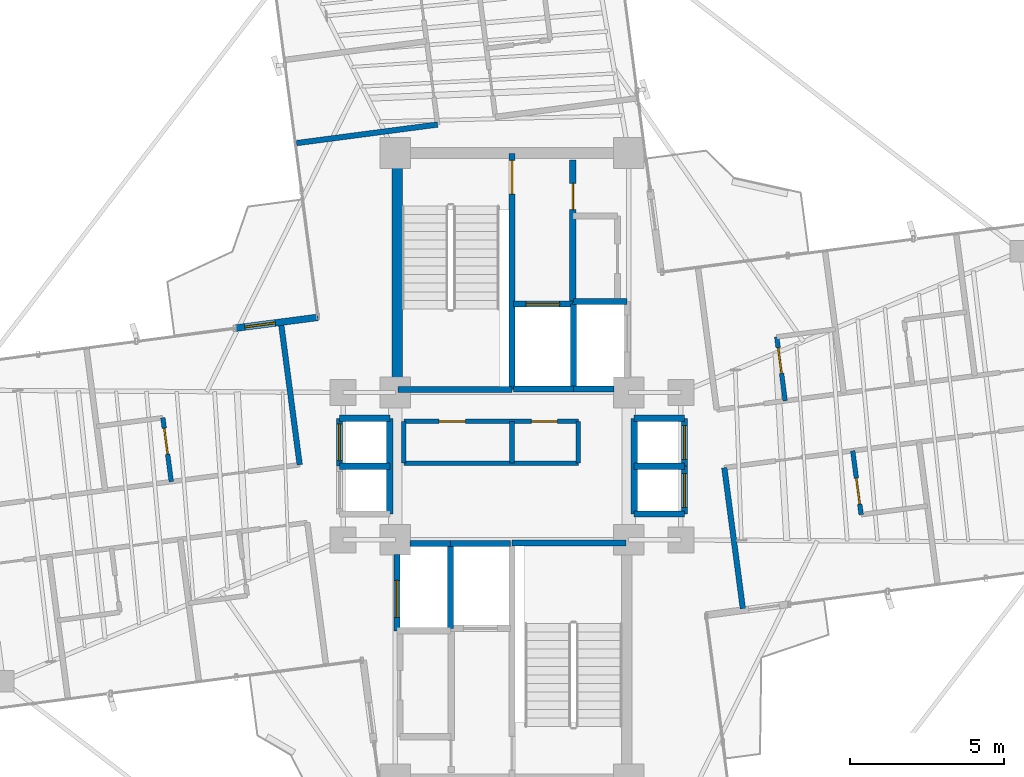
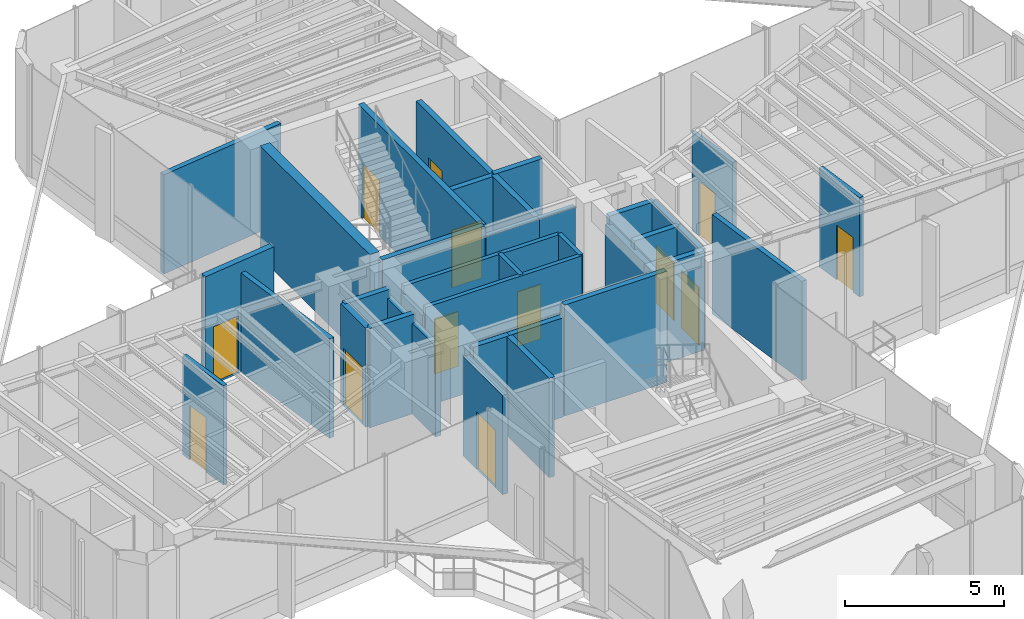
# One storey, part 17 of 20: 36 walls, 13 doors, 13 openings.
"""IFC4 building model written with IfcOpenShell, lengths in metres."""

from ifc_helpers import new_model, si_unit, direction, frame, frame_2d, origin, origin_2d, place, context, subcontext, project, spatial, rectangle, extrude, source, transform, mapped, material, layer, layer_set, type_object, element, fill, save


model = new_model("IFC4")

# Units and contexts
model_context = context("Model", 3, precision=1e-05, world=origin(), true_north=direction((0.0, 1.0)))
body_context = subcontext(model_context, "Body", "Model", "MODEL_VIEW")
ifc_project = project(units=[si_unit("LENGTHUNIT", "METRE"), si_unit("AREAUNIT", "SQUARE_METRE"), si_unit("VOLUMEUNIT", "CUBIC_METRE"), si_unit("PLANEANGLEUNIT", "RADIAN"), si_unit("MASSUNIT", "GRAM", prefix="KILO")], contexts=[model_context])

# Site, building, storey
site_placement = place(None, origin())
site = spatial("IfcSite", under=ifc_project, at=site_placement, CompositionType="ELEMENT")
building_placement = place(site_placement, origin())
building = spatial("IfcBuilding", under=site, at=building_placement, Name="Sahyath Konkavel Grand Hotel", CompositionType="ELEMENT")
storey_placement = place(building_placement, frame((0.0, 0.0, 229.949951171875)))
storey = spatial("IfcBuildingStorey", under=building, at=storey_placement, Name="L64", CompositionType="ELEMENT", Elevation=229.949951171875)

# Wall
ifc_material_1 = material(Name="Concrete C40/50", Category="concrete")
ifc_layer_1 = layer(ifc_material_1, 0.35009765625)
ifc_layer_set_1 = layer_set([ifc_layer_1], Name="Concrete C40/50")
wall_type_1 = type_object("IfcWallType", Name="CWALL-350", PredefinedType="SHEAR", material=ifc_layer_set_1)
wall_1_placement = place(storey_placement, frame((-3.739990234375, 2.85009765625, 0.0), z_axis=(0.0, 0.0, 1.0), x_axis=(0.0, 1.0, 0.0)))
element("IfcWall", 1, at=wall_1_placement, inside=storey, type_object=wall_type_1, Name="L64 North Core Shear Wall W", PredefinedType="SHEAR", context=body_context, shape_type="SweptSolid", body=[
    extrude(rectangle(XDim=6.89990234375, YDim=0.35009765625, at=frame_2d((3.449951171875, 0.0))), origin(), (0.0, 0.0, 1.0), 4.260009765625),
])

# Wall, opening, door
ifc_material_2 = material(Name="Warm Buff Sandstone Insulated Concrete C40/50", Category="masonry")
ifc_layer_2 = layer(ifc_material_2, 0.219970703125)
ifc_layer_set_2 = layer_set([ifc_layer_2], Name="Warm Buff Sandstone Insulated Concrete C40/50")
wall_type_2 = type_object("IfcWallType", Name="WLL-BALC-THRESH", PredefinedType="STANDARD", material=ifc_layer_set_2)
wall_2_placement = place(storey_placement, frame((-6.320068359375, 4.849609375, 0.0), z_axis=(0.0, 0.0, 1.0), x_axis=(-0.991451525486, -0.130475563272, 0.0)))
wall_2 = element("IfcWall", 2, at=wall_2_placement, inside=storey, type_object=wall_type_2, Name="L64 Winter-Garden Threshold Wall 16", PredefinedType="STANDARD", context=body_context, shape_type="SweptSolid", body=[
    extrude(rectangle(XDim=2.7001953125, YDim=0.219970703125, at=frame_2d((1.35009765625, 0.0))), origin(), (0.0, 0.0, 1.0), 4.260009765625),
])
opening_1_placement = place(wall_2_placement, frame((1.39990234375, 0.0, 0.0)))
opening_1 = element("IfcOpeningElement", 3, at=opening_1_placement, cuts=wall_2, Name="Opening D-TR1", PredefinedType="OPENING", context=body_context, shape_type="SweptSolid", body=[
    extrude(rectangle(XDim=1.0, YDim=2.199951171875, at=frame_2d((0.5, 1.10009765625))), frame((0.0, 0.1201171875, 0.0), z_axis=(0.0, -1.0, 0.0), x_axis=(1.0, 0.0, 0.0)), (0.0, 0.0, 1.0), 0.239990234375),
])
ifc_material_3 = material(Name="Anodised Bronze Aluminium & Low-E Glazing", Category="aluminium")
door_type_1 = type_object("IfcDoorType", Name="DR-TERRACE-1000", OperationType="NOTDEFINED", PredefinedType="DOOR", material=ifc_material_3)
shared_shape_1 = source(origin(), body_context, "Body", "SweptSolid", [
    extrude(rectangle(XDim=1.0, YDim=0.050048828125, at=origin_2d()), origin(), (0.0, 0.0, 1.0), 2.199951171875),
])
door_1_placement = place(opening_1_placement, frame((0.5, 0.0, 0.0)))
door_1 = element("IfcDoor", 4, at=door_1_placement, inside=storey, type_object=door_type_1, Name="L64 Winter-Garden Terrace Door 16", OperationType="SINGLE_SWING_LEFT", OverallHeight=2.199951171875, OverallWidth=1.0, PredefinedType="DOOR", context=body_context, shape_type="MappedRepresentation", body=[
    mapped(shared_shape_1, transform((0.0, 0.0, 0.0), scale=1.0)),
])
fill(opening_1, door_1)

ifc_layer_3 = layer(ifc_material_1, 0.199951171875)
ifc_layer_set_3 = layer_set([ifc_layer_3], Name="Concrete C40/50")
wall_type_3 = type_object("IfcWallType", Name="WLL-CORE-200", PredefinedType="SOLIDWALL", material=ifc_layer_set_3)
wall_3_placement = place(storey_placement, frame((0.0, 2.5, 0.0), z_axis=(0.0, 0.0, 1.0), x_axis=(0.0, 1.0, 0.0)))
wall_3 = element("IfcWall", 5, at=wall_3_placement, inside=storey, type_object=wall_type_3, Name="L64 Stair ST-1 Shaft Wall E", PredefinedType="SOLIDWALL", context=body_context, shape_type="SweptSolid", body=[
    extrude(rectangle(XDim=7.679931640625, YDim=0.199951171875, at=frame_2d((3.83984375, 0.0))), origin(), (0.0, 0.0, 1.0), 4.260009765625),
])
opening_2_placement = place(wall_3_placement, frame((6.360107421875, 0.0, 0.0)))
opening_2 = element("IfcOpeningElement", 6, at=opening_2_placement, cuts=wall_3, Name="Opening D-F12B", PredefinedType="OPENING", context=body_context, shape_type="SweptSolid", body=[
    extrude(rectangle(XDim=1.10009765625, YDim=2.14990234375, at=frame_2d((0.550048828125, 1.074951171875))), frame((0.0, 0.10986328125, 0.0), z_axis=(0.0, -1.0, 0.0), x_axis=(1.0, 0.0, 0.0)), (0.0, 0.0, 1.0), 0.219970703125),
])
ifc_material_4 = material(Name="Steel E350 Smokeproof Fire Door", Category="steel")
door_type_2 = type_object("IfcDoorType", Name="DR-FD120-1100", OperationType="NOTDEFINED", PredefinedType="DOOR", material=ifc_material_4)
shared_shape_2 = source(origin(), body_context, "Body", "SweptSolid", [
    extrude(rectangle(XDim=1.10009765625, YDim=0.050048828125, at=origin_2d()), origin(), (0.0, 0.0, 1.0), 2.14990234375),
])
door_2_placement = place(opening_2_placement, frame((0.550048828125, 0.0, 0.0)))
door_2 = element("IfcDoor", 7, at=door_2_placement, inside=storey, type_object=door_type_2, Name="L64 Stair ST-1 Fire Door", OperationType="SINGLE_SWING_RIGHT", OverallHeight=2.14990234375, OverallWidth=1.10009765625, PredefinedType="DOOR", context=body_context, shape_type="MappedRepresentation", body=[
    mapped(shared_shape_2, transform((0.0, 0.0, 0.0), scale=1.0)),
])
fill(opening_2, door_2)

# Walls
for number, where, z_axis, x_axis, name in (
    (8, (-3.719970703125, 2.5, 0.0), (0.0, 0.0, 1.0), (1.0, 0.0, 0.0), "L64 Stair ST-1 Shaft Wall S"),
    (9, (0.0, -2.5, 0.0), (0.0, 0.0, 1.0), (1.0, 0.0, 0.0), "L64 Stair ST-2 Shaft Wall N"),
):
    element("IfcWall", number, at=place(storey_placement, frame(where, z_axis=z_axis, x_axis=x_axis)), inside=storey, type_object=wall_type_3, Name=name, PredefinedType="SOLIDWALL", context=body_context, shape_type="SweptSolid", body=[
        extrude(rectangle(XDim=3.719970703125, YDim=0.199951171875, at=frame_2d((1.85986328125, 0.0))), origin(), (0.0, 0.0, 1.0), 4.260009765625),
    ])

# Wall, opening, door
wall_4_placement = place(storey_placement, frame((1.97998046875, 5.320068359375, 0.0), z_axis=(0.0, 0.0, 1.0), x_axis=(0.0, 1.0, 0.0)))
wall_4 = element("IfcWall", 10, at=wall_4_placement, inside=storey, type_object=wall_type_3, Name="L64 North Firefighting Lobby Wall E", PredefinedType="SOLIDWALL", context=body_context, shape_type="SweptSolid", body=[
    extrude(rectangle(XDim=4.659912109375, YDim=0.199951171875, at=frame_2d((2.330078125, 0.0))), origin(), (0.0, 0.0, 1.0), 3.81005859375),
])
opening_3_placement = place(wall_4_placement, frame((3.0400390625, 0.0, 0.0)))
opening_3 = element("IfcOpeningElement", 11, at=opening_3_placement, cuts=wall_4, Name="Opening D-F12D", PredefinedType="OPENING", context=body_context, shape_type="SweptSolid", body=[
    extrude(rectangle(XDim=0.85009765625, YDim=2.10009765625, at=frame_2d((0.425048828125, 1.050048828125))), frame((0.0, 0.10986328125, 0.0), z_axis=(0.0, -1.0, 0.0), x_axis=(1.0, 0.0, 0.0)), (0.0, 0.0, 1.0), 0.219970703125),
])
ifc_material_5 = material(Name="Steel E350 Core Fire Door", Category="steel")
door_type_3 = type_object("IfcDoorType", Name="DR-FD120-850", OperationType="NOTDEFINED", PredefinedType="DOOR", material=ifc_material_5)
shared_shape_3 = source(origin(), body_context, "Body", "SweptSolid", [
    extrude(rectangle(XDim=0.85009765625, YDim=0.050048828125, at=origin_2d()), origin(), (0.0, 0.0, 1.0), 2.10009765625),
])
door_3_placement = place(opening_3_placement, frame((0.425048828125, 0.0, 0.0)))
door_3 = element("IfcDoor", 12, at=door_3_placement, inside=storey, type_object=door_type_3, Name="L64 North Firefighting Lobby Door", OperationType="SINGLE_SWING_RIGHT", OverallHeight=2.10009765625, OverallWidth=0.85009765625, PredefinedType="DOOR", context=body_context, shape_type="MappedRepresentation", body=[
    mapped(shared_shape_3, transform((0.0, 0.0, 0.0), scale=1.0)),
])
fill(opening_3, door_3)

# Walls
wall_5_placement = place(storey_placement, frame((2.0, 2.5, 0.0), z_axis=(0.0, 0.0, 1.0), x_axis=(0.0, 1.0, 0.0)))
element("IfcWall", 13, at=wall_5_placement, inside=storey, type_object=wall_type_3, Name="L64 Partition SH-FFL1-E", PredefinedType="SOLIDWALL", context=body_context, shape_type="SweptSolid", body=[
    extrude(rectangle(XDim=2.780029296875, YDim=0.199951171875, at=frame_2d((1.39013671875, 0.0))), origin(), (0.0, 0.0, 1.0), 3.81005859375),
])
wall_6_placement = place(storey_placement, frame((0.050048828125, 2.52001953125, 0.0), z_axis=(0.0, 0.0, 1.0), x_axis=(1.0, 0.0, 0.0)))
element("IfcWall", 14, at=wall_6_placement, inside=storey, type_object=wall_type_3, Name="L64 Partition SH-FFL1-S", PredefinedType="SOLIDWALL", context=body_context, shape_type="SweptSolid", body=[
    extrude(rectangle(XDim=1.949951171875, YDim=0.199951171875, at=frame_2d((0.97509765625, 0.0))), origin(), (0.0, 0.0, 1.0), 3.81005859375),
])

# Wall, opening, door
wall_7_placement = place(storey_placement, frame((0.050048828125, 5.280029296875, 0.0), z_axis=(0.0, 0.0, 1.0), x_axis=(1.0, 0.0, 0.0)))
wall_7 = element("IfcWall", 15, at=wall_7_placement, inside=storey, type_object=wall_type_3, Name="L64 Partition SH-FFL1-N", PredefinedType="SOLIDWALL", context=body_context, shape_type="SweptSolid", body=[
    extrude(rectangle(XDim=1.929931640625, YDim=0.199951171875, at=frame_2d((0.96484375, 0.0))), origin(), (0.0, 0.0, 1.0), 3.81005859375),
])
opening_4_placement = place(wall_7_placement, frame((0.39990234375, 0.0, 0.0)))
opening_4 = element("IfcOpeningElement", 16, at=opening_4_placement, cuts=wall_7, Name="Opening LD-11", PredefinedType="OPENING", context=body_context, shape_type="SweptSolid", body=[
    extrude(rectangle(XDim=1.10009765625, YDim=2.199951171875, at=frame_2d((0.550048828125, 1.10009765625))), frame((0.0, 0.10986328125, 0.0), z_axis=(0.0, -1.0, 0.0), x_axis=(1.0, 0.0, 0.0)), (0.0, 0.0, 1.0), 0.219970703125),
])
ifc_material_6 = material(Name="Bronze Lift Landing Door 1100")
door_type_4 = type_object("IfcDoorType", Name="DR-LIFT-1100", OperationType="DOUBLE_DOOR_SLIDING", PredefinedType="DOOR", material=ifc_material_6)
shared_shape_4 = source(origin(), body_context, "Body", "SweptSolid", [
    extrude(rectangle(XDim=1.10009765625, YDim=0.050048828125, at=origin_2d()), origin(), (0.0, 0.0, 1.0), 2.199951171875),
])
door_4_placement = place(opening_4_placement, frame((0.550048828125, 0.0, 0.0)))
door_4 = element("IfcDoor", 17, at=door_4_placement, inside=storey, type_object=door_type_4, Name="L64 Lift FFL-1 Landing Door", OperationType="DOUBLE_DOOR_SLIDING", OverallHeight=2.199951171875, OverallWidth=1.10009765625, PredefinedType="DOOR", context=body_context, shape_type="MappedRepresentation", body=[
    mapped(shared_shape_4, transform((0.0, 0.0, 0.0), scale=1.0)),
])
fill(opening_4, door_4)

# Walls
wall_8_placement = place(storey_placement, frame((-2.0, -5.280029296875, 0.0), z_axis=(0.0, 0.0, 1.0), x_axis=(0.0, 1.0, 0.0)))
element("IfcWall", 18, at=wall_8_placement, inside=storey, type_object=wall_type_3, Name="L64 Partition SH-FFL2-W", PredefinedType="SOLIDWALL", context=body_context, shape_type="SweptSolid", body=[
    extrude(rectangle(XDim=2.780029296875, YDim=0.199951171875, at=frame_2d((1.39013671875, 0.0))), origin(), (0.0, 0.0, 1.0), 3.81005859375),
])
wall_9_placement = place(storey_placement, frame((-2.0, -2.52001953125, 0.0), z_axis=(0.0, 0.0, 1.0), x_axis=(1.0, 0.0, 0.0)))
element("IfcWall", 19, at=wall_9_placement, inside=storey, type_object=wall_type_3, Name="L64 Partition SH-FFL2-N", PredefinedType="SOLIDWALL", context=body_context, shape_type="SweptSolid", body=[
    extrude(rectangle(XDim=1.949951171875, YDim=0.199951171875, at=frame_2d((0.97509765625, 0.0))), origin(), (0.0, 0.0, 1.0), 3.81005859375),
])
wall_10_placement = place(storey_placement, frame((2.0, 2.52001953125, 0.0), z_axis=(0.0, 0.0, 1.0), x_axis=(1.0, 0.0, 0.0)))
element("IfcWall", 20, at=wall_10_placement, inside=storey, type_object=wall_type_3, Name="L64 Partition SH-SVL1-S", PredefinedType="SOLIDWALL", context=body_context, shape_type="SweptSolid", body=[
    extrude(rectangle(XDim=1.320068359375, YDim=0.199951171875, at=frame_2d((0.66015625, 0.0))), origin(), (0.0, 0.0, 1.0), 3.81005859375),
])
wall_11_placement = place(storey_placement, frame((2.0, 5.360107421875, 0.0), z_axis=(0.0, 0.0, 1.0), x_axis=(1.0, 0.0, 0.0)))
element("IfcWall", 21, at=wall_11_placement, inside=storey, type_object=wall_type_3, Name="L64 Partition SH-SVL1-N", PredefinedType="SOLIDWALL", context=body_context, shape_type="SweptSolid", body=[
    extrude(rectangle(XDim=1.739990234375, YDim=0.199951171875, at=frame_2d((0.8701171875, 0.0))), origin(), (0.0, 0.0, 1.0), 3.81005859375),
])
wall_12_placement = place(storey_placement, frame((-3.320068359375, -2.52001953125, 0.0), z_axis=(0.0, 0.0, 1.0), x_axis=(1.0, 0.0, 0.0)))
element("IfcWall", 22, at=wall_12_placement, inside=storey, type_object=wall_type_3, Name="L64 Partition SH-SVL2-N", PredefinedType="SOLIDWALL", context=body_context, shape_type="SweptSolid", body=[
    extrude(rectangle(XDim=1.320068359375, YDim=0.199951171875, at=frame_2d((0.66015625, 0.0))), origin(), (0.0, 0.0, 1.0), 3.81005859375),
])

# Wall, opening, door
wall_13_placement = place(storey_placement, frame((-3.739990234375, -5.360107421875, 0.0), z_axis=(0.0, 0.0, 1.0), x_axis=(0.0, 1.0, 0.0)))
wall_13 = element("IfcWall", 23, at=wall_13_placement, inside=storey, type_object=wall_type_3, Name="L64 Partition SH-SVL2-W", PredefinedType="SOLIDWALL", context=body_context, shape_type="SweptSolid", body=[
    extrude(rectangle(XDim=2.480224609375, YDim=0.199951171875, at=frame_2d((1.240234375, 0.0))), origin(), (0.0, 0.0, 1.0), 3.81005859375),
])
opening_5_placement = place(wall_13_placement, frame((0.43994140625, 0.0, 0.0)))
opening_5 = element("IfcOpeningElement", 24, at=opening_5_placement, cuts=wall_13, Name="Opening LD-12", PredefinedType="OPENING", context=body_context, shape_type="SweptSolid", body=[
    extrude(rectangle(XDim=1.199951171875, YDim=2.199951171875, at=frame_2d((0.60009765625, 1.10009765625))), frame((0.0, 0.10986328125, 0.0), z_axis=(0.0, -1.0, 0.0), x_axis=(1.0, 0.0, 0.0)), (0.0, 0.0, 1.0), 0.219970703125),
])
ifc_material_7 = material(Name="Stainless Steel Lift Landing Door 1200", Category="steel")
door_type_5 = type_object("IfcDoorType", Name="DR-LIFT-1200", OperationType="DOUBLE_DOOR_SLIDING", PredefinedType="DOOR", material=ifc_material_7)
shared_shape_5 = source(origin(), body_context, "Body", "SweptSolid", [
    extrude(rectangle(XDim=1.199951171875, YDim=0.050048828125, at=origin_2d()), origin(), (0.0, 0.0, 1.0), 2.199951171875),
])
door_5_placement = place(opening_5_placement, frame((0.60009765625, 0.0, 0.0)))
door_5 = element("IfcDoor", 25, at=door_5_placement, inside=storey, type_object=door_type_5, Name="L64 Service Lift SVL-2 Landing Door", OperationType="DOUBLE_DOOR_SLIDING", OverallHeight=2.199951171875, OverallWidth=1.199951171875, PredefinedType="DOOR", context=body_context, shape_type="MappedRepresentation", body=[
    mapped(shared_shape_5, transform((0.0, 0.0, 0.0), scale=1.0)),
])
fill(opening_5, door_5)

# Walls
wall_14_placement = place(storey_placement, frame((3.97998046875, -1.56005859375, 0.0), z_axis=(0.0, 0.0, 1.0), x_axis=(0.0, 1.0, 0.0)))
element("IfcWall", 26, at=wall_14_placement, inside=storey, type_object=wall_type_3, Name="L64 Partition SH-PL56-W", PredefinedType="SOLIDWALL", context=body_context, shape_type="SweptSolid", body=[
    extrude(rectangle(XDim=3.1201171875, YDim=0.199951171875, at=frame_2d((1.56005859375, 0.0))), origin(), (0.0, 0.0, 1.0), 3.47998046875),
])
for number, where, z_axis, x_axis, name in (
    (27, (3.97998046875, 1.56005859375, 0.0), (0.0, 0.0, 1.0), (1.0, 0.0, 0.0), "L64 Partition SH-PL56-N"),
    (28, (3.97998046875, -1.56005859375, 0.0), (0.0, 0.0, 1.0), (1.0, 0.0, 0.0), "L64 Partition SH-PL56-S"),
    (29, (3.97998046875, 0.0, 0.0), (0.0, 0.0, 1.0), (1.0, 0.0, 0.0), "L64 Partition SH-PL56-M"),
):
    element("IfcWall", number, at=place(storey_placement, frame(where, z_axis=z_axis, x_axis=x_axis)), inside=storey, type_object=wall_type_3, Name=name, PredefinedType="SOLIDWALL", context=body_context, shape_type="SweptSolid", body=[
        extrude(rectangle(XDim=1.64013671875, YDim=0.199951171875, at=frame_2d((0.820068359375, 0.0))), origin(), (0.0, 0.0, 1.0), 3.81005859375),
    ])

# Wall, opening, door
wall_15_placement = place(storey_placement, frame((5.6201171875, 0.0, 0.0), z_axis=(0.0, 0.0, 1.0), x_axis=(0.0, 1.0, 0.0)))
wall_15 = element("IfcWall", 30, at=wall_15_placement, inside=storey, type_object=wall_type_3, Name="L64 Partition SH-PL5-E", PredefinedType="SOLIDWALL", context=body_context, shape_type="SweptSolid", body=[
    extrude(rectangle(XDim=1.56005859375, YDim=0.199951171875, at=frame_2d((0.780029296875, 0.0))), origin(), (0.0, 0.0, 1.0), 3.81005859375),
])
opening_6_placement = place(wall_15_placement, frame((0.219970703125, 0.0, 0.0)))
opening_6 = element("IfcOpeningElement", 31, at=opening_6_placement, cuts=wall_15, Name="Opening LD-11", PredefinedType="OPENING", context=body_context, shape_type="SweptSolid", body=[
    extrude(rectangle(XDim=1.10009765625, YDim=2.199951171875, at=frame_2d((0.550048828125, 1.10009765625))), frame((0.0, 0.10986328125, 0.0), z_axis=(0.0, -1.0, 0.0), x_axis=(1.0, 0.0, 0.0)), (0.0, 0.0, 1.0), 0.219970703125),
])
door_6_placement = place(opening_6_placement, frame((0.550048828125, 0.0, 0.0)))
door_6 = element("IfcDoor", 32, at=door_6_placement, inside=storey, type_object=door_type_4, Name="L64 High-Rise Lift PL-5 Landing Door", OperationType="DOUBLE_DOOR_SLIDING", OverallHeight=2.199951171875, OverallWidth=1.10009765625, PredefinedType="DOOR", context=body_context, shape_type="MappedRepresentation", body=[
    mapped(shared_shape_4, transform((0.0, 0.0, 0.0), scale=1.0)),
])
fill(opening_6, door_6)

wall_16_placement = place(storey_placement, frame((5.6201171875, -1.56005859375, 0.0), z_axis=(0.0, 0.0, 1.0), x_axis=(0.0, 1.0, 0.0)))
wall_16 = element("IfcWall", 33, at=wall_16_placement, inside=storey, type_object=wall_type_3, Name="L64 Partition SH-PL6-E", PredefinedType="SOLIDWALL", context=body_context, shape_type="SweptSolid", body=[
    extrude(rectangle(XDim=1.56005859375, YDim=0.199951171875, at=frame_2d((0.780029296875, 0.0))), origin(), (0.0, 0.0, 1.0), 3.81005859375),
])
opening_7_placement = place(wall_16_placement, frame((0.219970703125, 0.0, 0.0)))
opening_7 = element("IfcOpeningElement", 34, at=opening_7_placement, cuts=wall_16, Name="Opening LD-11", PredefinedType="OPENING", context=body_context, shape_type="SweptSolid", body=[
    extrude(rectangle(XDim=1.10009765625, YDim=2.199951171875, at=frame_2d((0.550048828125, 1.10009765625))), frame((0.0, 0.10986328125, 0.0), z_axis=(0.0, -1.0, 0.0), x_axis=(1.0, 0.0, 0.0)), (0.0, 0.0, 1.0), 0.219970703125),
])
door_7_placement = place(opening_7_placement, frame((0.550048828125, 0.0, 0.0)))
door_7 = element("IfcDoor", 35, at=door_7_placement, inside=storey, type_object=door_type_4, Name="L64 High-Rise Lift PL-6 Landing Door", OperationType="DOUBLE_DOOR_SLIDING", OverallHeight=2.199951171875, OverallWidth=1.10009765625, PredefinedType="DOOR", context=body_context, shape_type="MappedRepresentation", body=[
    mapped(shared_shape_4, transform((0.0, 0.0, 0.0), scale=1.0)),
])
fill(opening_7, door_7)

# Walls
wall_17_placement = place(storey_placement, frame((-3.97998046875, -1.56005859375, 0.0), z_axis=(0.0, 0.0, 1.0), x_axis=(0.0, 1.0, 0.0)))
element("IfcWall", 36, at=wall_17_placement, inside=storey, type_object=wall_type_3, Name="L64 Partition SH-SL12-E", PredefinedType="SOLIDWALL", context=body_context, shape_type="SweptSolid", body=[
    extrude(rectangle(XDim=3.1201171875, YDim=0.199951171875, at=frame_2d((1.56005859375, 0.0))), origin(), (0.0, 0.0, 1.0), 3.47998046875),
])
for number, where, z_axis, x_axis, name in (
    (37, (-5.6201171875, 1.56005859375, 0.0), (0.0, 0.0, 1.0), (1.0, 0.0, 0.0), "L64 Partition SH-SL12-N"),
    (38, (-5.6201171875, 0.0, 0.0), (0.0, 0.0, 1.0), (1.0, 0.0, 0.0), "L64 Partition SH-SL12-M"),
):
    element("IfcWall", number, at=place(storey_placement, frame(where, z_axis=z_axis, x_axis=x_axis)), inside=storey, type_object=wall_type_3, Name=name, PredefinedType="SOLIDWALL", context=body_context, shape_type="SweptSolid", body=[
        extrude(rectangle(XDim=1.64013671875, YDim=0.199951171875, at=frame_2d((0.820068359375, 0.0))), origin(), (0.0, 0.0, 1.0), 3.81005859375),
    ])

# Wall, opening, door
wall_18_placement = place(storey_placement, frame((-5.6201171875, 0.0, 0.0), z_axis=(0.0, 0.0, 1.0), x_axis=(0.0, 1.0, 0.0)))
wall_18 = element("IfcWall", 39, at=wall_18_placement, inside=storey, type_object=wall_type_3, Name="L64 Partition SH-SL1-W", PredefinedType="SOLIDWALL", context=body_context, shape_type="SweptSolid", body=[
    extrude(rectangle(XDim=1.56005859375, YDim=0.199951171875, at=frame_2d((0.780029296875, 0.0))), origin(), (0.0, 0.0, 1.0), 3.81005859375),
])
opening_8_placement = place(wall_18_placement, frame((0.179931640625, 0.0, 0.0)))
opening_8 = element("IfcOpeningElement", 40, at=opening_8_placement, cuts=wall_18, Name="Opening LD-12", PredefinedType="OPENING", context=body_context, shape_type="SweptSolid", body=[
    extrude(rectangle(XDim=1.199951171875, YDim=2.199951171875, at=frame_2d((0.60009765625, 1.10009765625))), frame((0.0, 0.10986328125, 0.0), z_axis=(0.0, -1.0, 0.0), x_axis=(1.0, 0.0, 0.0)), (0.0, 0.0, 1.0), 0.219970703125),
])
door_8_placement = place(opening_8_placement, frame((0.60009765625, 0.0, 0.0)))
door_8 = element("IfcDoor", 41, at=door_8_placement, inside=storey, type_object=door_type_5, Name="L64 Express Shuttle SL-1 Landing Door", OperationType="DOUBLE_DOOR_SLIDING", OverallHeight=2.199951171875, OverallWidth=1.199951171875, PredefinedType="DOOR", context=body_context, shape_type="MappedRepresentation", body=[
    mapped(shared_shape_5, transform((0.0, 0.0, 0.0), scale=1.0)),
])
fill(opening_8, door_8)

# Walls
ifc_material_8 = material(Name="Twin-Stud Acoustic Gypsum Plasterboard Partition")
ifc_layer_4 = layer(ifc_material_8, 0.179931640625)
ifc_layer_set_4 = layer_set([ifc_layer_4], Name="Twin-Stud Acoustic Gypsum Plasterboard Partition")
wall_type_4 = type_object("IfcWallType", Name="WLL-DEMISE-180", PredefinedType="PARTITIONING", material=ifc_layer_set_4)
for number, where, z_axis, x_axis, name in (
    (42, (7.52001953125, -4.64111328125, 0.0), (0.0, 0.0, 1.0), (-0.130530849518, 0.991444248218, 0.0), "L64 Partition E-INR"),
    (43, (-2.42333984375, 11.12890625, 0.0), (0.0, 0.0, 1.0), (-0.991444248218, -0.130530849518, 0.0), "L64 Partition N-INL"),
    (44, (-7.52001953125, 4.64111328125, 0.0), (0.0, 0.0, 1.0), (0.130530849518, -0.991444248218, 0.0), "L64 Partition W-INR"),
):
    element("IfcWall", number, at=place(storey_placement, frame(where, z_axis=z_axis, x_axis=x_axis)), inside=storey, type_object=wall_type_4, Name=name, PredefinedType="PARTITIONING", context=body_context, shape_type="SweptSolid", body=[
        extrude(rectangle(XDim=4.6328125, YDim=0.179931640625, at=frame_2d((2.31640625, 0.0))), origin(), (0.0, 0.0, 1.0), 3.81005859375),
    ])
ifc_material_9 = material(Name="Fire-Rated Gypsum Plasterboard Partition")
ifc_layer_5 = layer(ifc_material_9, 0.14990234375)
ifc_layer_set_5 = layer_set([ifc_layer_5], Name="Fire-Rated Gypsum Plasterboard Partition")
wall_type_5 = type_object("IfcWallType", Name="WLL-PART-150", PredefinedType="PARTITIONING", material=ifc_layer_set_5)
wall_19_placement = place(storey_placement, frame((-3.52001953125, 0.10009765625, 0.0), z_axis=(0.0, 0.0, 1.0), x_axis=(1.0, 0.0, 0.0)))
element("IfcWall", 45, at=wall_19_placement, inside=storey, type_object=wall_type_5, Name="L64 Partition CC-S0-FIX", PredefinedType="PARTITIONING", context=body_context, shape_type="SweptSolid", body=[
    extrude(rectangle(XDim=5.679931640625, YDim=0.14990234375, at=frame_2d((2.83984375, 0.0))), origin(), (0.0, 0.0, 1.0), 3.81005859375),
])

# Wall, openings, doors
wall_20_placement = place(storey_placement, frame((-3.52001953125, 1.4599609375, 0.0), z_axis=(0.0, 0.0, 1.0), x_axis=(1.0, 0.0, 0.0)))
wall_20 = element("IfcWall", 46, at=wall_20_placement, inside=storey, type_object=wall_type_5, Name="L64 Partition CC-N0", PredefinedType="PARTITIONING", context=body_context, shape_type="SweptSolid", body=[
    extrude(rectangle(XDim=5.679931640625, YDim=0.14990234375, at=frame_2d((2.83984375, 0.0))), origin(), (0.0, 0.0, 1.0), 3.81005859375),
])
opening_9_placement = place(wall_20_placement, frame((1.14990234375, 0.0, 0.0)))
opening_9 = element("IfcOpeningElement", 47, at=opening_9_placement, cuts=wall_20, Name="Opening D-F06D", PredefinedType="OPENING", context=body_context, shape_type="SweptSolid", body=[
    extrude(rectangle(XDim=0.85009765625, YDim=2.10009765625, at=frame_2d((0.425048828125, 1.050048828125))), frame((0.0, 0.0849609375, 0.0), z_axis=(0.0, -1.0, 0.0), x_axis=(1.0, 0.0, 0.0)), (0.0, 0.0, 1.0), 0.169921875),
])
opening_10_placement = place(wall_20_placement, frame((4.14990234375, 0.0, 0.0)))
opening_10 = element("IfcOpeningElement", 48, at=opening_10_placement, cuts=wall_20, Name="Opening D-F06D", PredefinedType="OPENING", context=body_context, shape_type="SweptSolid", body=[
    extrude(rectangle(XDim=0.85009765625, YDim=2.10009765625, at=frame_2d((0.425048828125, 1.050048828125))), frame((0.0, 0.0849609375, 0.0), z_axis=(0.0, -1.0, 0.0), x_axis=(1.0, 0.0, 0.0)), (0.0, 0.0, 1.0), 0.169921875),
])
ifc_material_10 = material(Name="Fire-Rated Shaft Access Door")
door_type_6 = type_object("IfcDoorType", Name="DR-FD60-850", OperationType="NOTDEFINED", PredefinedType="DOOR", material=ifc_material_10)
door_9_placement = place(opening_9_placement, frame((0.425048828125, 0.0, 0.0)))
door_9 = element("IfcDoor", 49, at=door_9_placement, inside=storey, type_object=door_type_6, Name="L64 Door CC-D0A", OperationType="SINGLE_SWING_RIGHT", OverallHeight=2.10009765625, OverallWidth=0.85009765625, PredefinedType="DOOR", context=body_context, shape_type="MappedRepresentation", body=[
    mapped(shared_shape_3, transform((0.0, 0.0, 0.0), scale=1.0)),
])
fill(opening_9, door_9)
door_10_placement = place(opening_10_placement, frame((0.425048828125, 0.0, 0.0)))
door_10 = element("IfcDoor", 50, at=door_10_placement, inside=storey, type_object=door_type_6, Name="L64 Door CC-D0B", OperationType="SINGLE_SWING_LEFT", OverallHeight=2.10009765625, OverallWidth=0.85009765625, PredefinedType="DOOR", context=body_context, shape_type="MappedRepresentation", body=[
    mapped(shared_shape_3, transform((0.0, 0.0, 0.0), scale=1.0)),
])
fill(opening_10, door_10)

# Walls
wall_21_placement = place(storey_placement, frame((-3.52001953125, 0.10009765625, 0.0), z_axis=(0.0, 0.0, 1.0), x_axis=(0.0, 1.0, 0.0)))
element("IfcWall", 51, at=wall_21_placement, inside=storey, type_object=wall_type_5, Name="L64 Partition CC-W0", PredefinedType="PARTITIONING", context=body_context, shape_type="SweptSolid", body=[
    extrude(rectangle(XDim=1.35986328125, YDim=0.14990234375, at=frame_2d((0.679931640625, 0.0))), origin(), (0.0, 0.0, 1.0), 3.47998046875),
])
for number, where, z_axis, x_axis, name in (
    (52, (2.159912109375, 0.10009765625, 0.0), (0.0, 0.0, 1.0), (0.0, 1.0, 0.0), "L64 Partition CC-E0"),
    (53, (0.0, 0.10009765625, 0.0), (0.0, 0.0, 1.0), (0.0, 1.0, 0.0), "L64 Partition CC-M0"),
):
    element("IfcWall", number, at=place(storey_placement, frame(where, z_axis=z_axis, x_axis=x_axis)), inside=storey, type_object=wall_type_5, Name=name, PredefinedType="PARTITIONING", context=body_context, shape_type="SweptSolid", body=[
        extrude(rectangle(XDim=1.35986328125, YDim=0.14990234375, at=frame_2d((0.679931640625, 0.0))), origin(), (0.0, 0.0, 1.0), 3.81005859375),
    ])

# Wall, opening, door
wall_22_placement = place(storey_placement, frame((8.898193359375, 2.129638671875, 0.0), z_axis=(0.0, 0.0, 1.0), x_axis=(-0.130556761174, 0.991440836415, 0.0)))
wall_22 = element("IfcWall", 54, at=wall_22_placement, inside=storey, type_object=wall_type_5, Name="L64 Partition E-E1L-BS", PredefinedType="PARTITIONING", context=body_context, shape_type="SweptSolid", body=[
    extrude(rectangle(XDim=2.10009765625, YDim=0.14990234375, at=frame_2d((1.050048828125, 0.0))), origin(), (0.0, 0.0, 1.0), 3.780029296875),
])
opening_11_placement = place(wall_22_placement, frame((0.89990234375, 0.0, 0.0)))
opening_11 = element("IfcOpeningElement", 55, at=opening_11_placement, cuts=wall_22, Name="Opening D-BT85", PredefinedType="OPENING", context=body_context, shape_type="SweptSolid", body=[
    extrude(rectangle(XDim=0.85009765625, YDim=2.10009765625, at=frame_2d((0.425048828125, 1.050048828125))), frame((0.0, 0.0849609375, 0.0), z_axis=(0.0, -1.0, 0.0), x_axis=(1.0, 0.0, 0.0)), (0.0, 0.0, 1.0), 0.169921875),
])
ifc_material_11 = material(Name="Moisture-Resistant Teak Bathroom Door")
door_type_7 = type_object("IfcDoorType", Name="DR-BATH-850", OperationType="NOTDEFINED", PredefinedType="DOOR", material=ifc_material_11)
door_11_placement = place(opening_11_placement, frame((0.425048828125, 0.0, 0.0)))
door_11 = element("IfcDoor", 56, at=door_11_placement, inside=storey, type_object=door_type_7, Name="L64 Door E-E1L-BD", OperationType="SINGLE_SWING_RIGHT", OverallHeight=2.10009765625, OverallWidth=0.85009765625, PredefinedType="DOOR", context=body_context, shape_type="MappedRepresentation", body=[
    mapped(shared_shape_3, transform((0.0, 0.0, 0.0), scale=1.0)),
])
fill(opening_11, door_11)

wall_23_placement = place(storey_placement, frame((11.098388671875, 0.5029296875, 0.0), z_axis=(0.0, 0.0, 1.0), x_axis=(0.13044248305, -0.9914558783, 0.0)))
wall_23 = element("IfcWall", 57, at=wall_23_placement, inside=storey, type_object=wall_type_5, Name="L64 Partition E-E1R-BS", PredefinedType="PARTITIONING", context=body_context, shape_type="SweptSolid", body=[
    extrude(rectangle(XDim=2.099853515625, YDim=0.14990234375, at=frame_2d((1.0498046875, 0.0))), origin(), (0.0, 0.0, 1.0), 3.81005859375),
])
opening_12_placement = place(wall_23_placement, frame((0.89990234375, 0.0, 0.0)))
opening_12 = element("IfcOpeningElement", 58, at=opening_12_placement, cuts=wall_23, Name="Opening D-BT85", PredefinedType="OPENING", context=body_context, shape_type="SweptSolid", body=[
    extrude(rectangle(XDim=0.85009765625, YDim=2.10009765625, at=frame_2d((0.425048828125, 1.050048828125))), frame((0.0, 0.0849609375, 0.0), z_axis=(0.0, -1.0, 0.0), x_axis=(1.0, 0.0, 0.0)), (0.0, 0.0, 1.0), 0.169921875),
])
door_12_placement = place(opening_12_placement, frame((0.425048828125, 0.0, 0.0)))
door_12 = element("IfcDoor", 59, at=door_12_placement, inside=storey, type_object=door_type_7, Name="L64 Door E-E1R-BD", OperationType="SINGLE_SWING_RIGHT", OverallHeight=2.10009765625, OverallWidth=0.85009765625, PredefinedType="DOOR", context=body_context, shape_type="MappedRepresentation", body=[
    mapped(shared_shape_3, transform((0.0, 0.0, 0.0), scale=1.0)),
])
fill(opening_12, door_12)

wall_24_placement = place(storey_placement, frame((-11.098388671875, -0.5029296875, 0.0), z_axis=(0.0, 0.0, 1.0), x_axis=(-0.13044248305, 0.9914558783, 0.0)))
wall_24 = element("IfcWall", 60, at=wall_24_placement, inside=storey, type_object=wall_type_5, Name="L64 Partition W-W1R-BS", PredefinedType="PARTITIONING", context=body_context, shape_type="SweptSolid", body=[
    extrude(rectangle(XDim=2.099853515625, YDim=0.14990234375, at=frame_2d((1.0498046875, 0.0))), origin(), (0.0, 0.0, 1.0), 3.81005859375),
])
opening_13_placement = place(wall_24_placement, frame((0.89990234375, 0.0, 0.0)))
opening_13 = element("IfcOpeningElement", 61, at=opening_13_placement, cuts=wall_24, Name="Opening D-BT85", PredefinedType="OPENING", context=body_context, shape_type="SweptSolid", body=[
    extrude(rectangle(XDim=0.85009765625, YDim=2.10009765625, at=frame_2d((0.425048828125, 1.050048828125))), frame((0.0, 0.0849609375, 0.0), z_axis=(0.0, -1.0, 0.0), x_axis=(1.0, 0.0, 0.0)), (0.0, 0.0, 1.0), 0.169921875),
])
door_13_placement = place(opening_13_placement, frame((0.425048828125, 0.0, 0.0)))
door_13 = element("IfcDoor", 62, at=door_13_placement, inside=storey, type_object=door_type_7, Name="L64 Door W-W1R-BD", OperationType="SINGLE_SWING_LEFT", OverallHeight=2.10009765625, OverallWidth=0.85009765625, PredefinedType="DOOR", context=body_context, shape_type="MappedRepresentation", body=[
    mapped(shared_shape_3, transform((0.0, 0.0, 0.0), scale=1.0)),
])
fill(opening_13, door_13)

save(model, "model.ifc")
